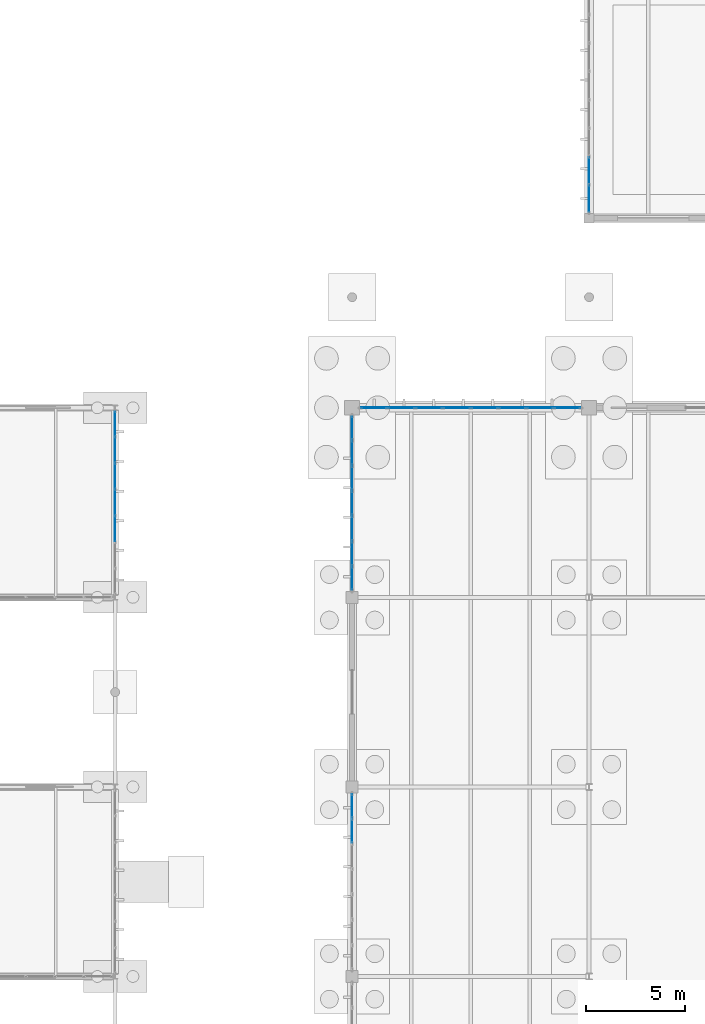
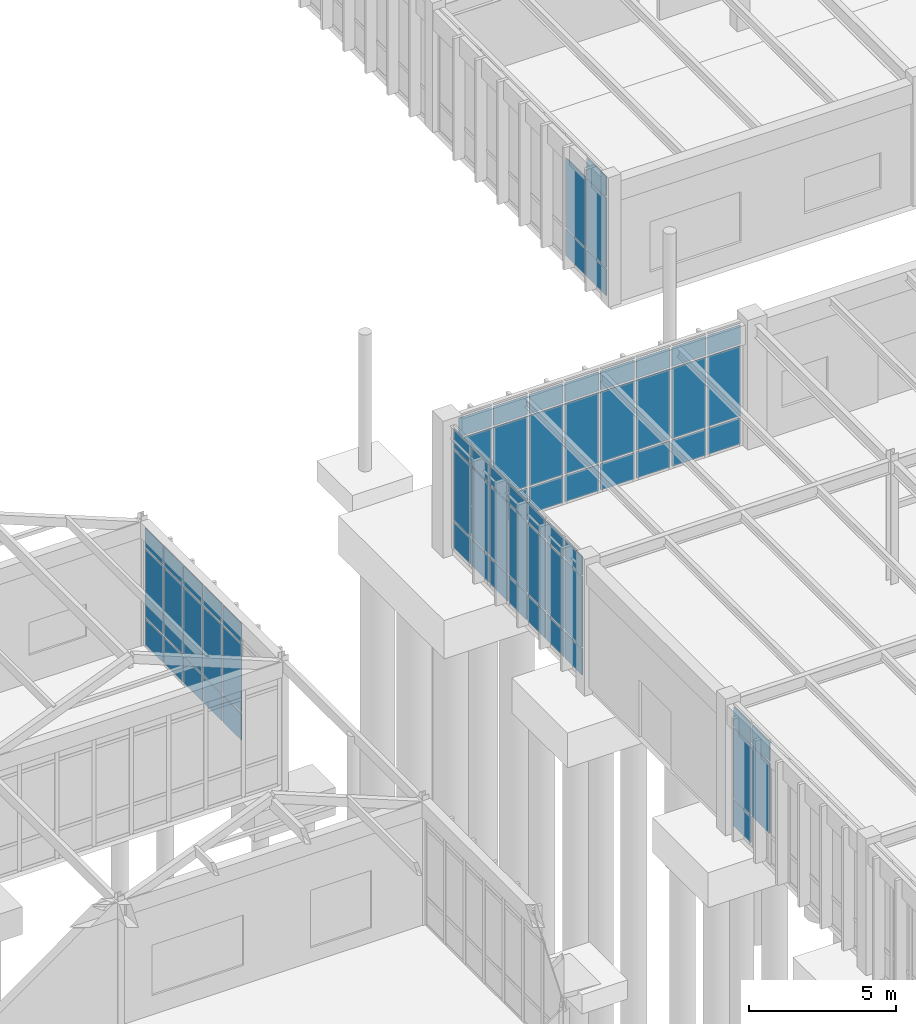
# One storey, part 136 of 188: 70 plates, 5 elements without a shape of their own.
"""IFC4 building model written with IfcOpenShell, lengths in metres."""

from ifc_helpers import new_model, si_unit, direction, frame, origin, origin_2d, place, context, subcontext, project, spatial, rectangle, extrude, material, layer, layer_set, type_object, element, aggregate, save


model = new_model("IFC4")

# Units and contexts
model_context = context("Model", 3, precision=1e-05, world=origin(), true_north=direction((0.0, 1.0)))
body_context = subcontext(model_context, "Body", "Model", "MODEL_VIEW")
ifc_project = project(units=[si_unit("LENGTHUNIT", "METRE"), si_unit("AREAUNIT", "SQUARE_METRE"), si_unit("VOLUMEUNIT", "CUBIC_METRE"), si_unit("PLANEANGLEUNIT", "RADIAN"), si_unit("MASSUNIT", "GRAM", prefix="KILO")], contexts=[model_context])

# Site, building, storey
site_placement = place(None, origin())
site = spatial("IfcSite", under=ifc_project, at=site_placement, CompositionType="ELEMENT")
building_placement = place(site_placement, origin())
building = spatial("IfcBuilding", under=site, at=building_placement, Name="Pandanus Reach Market Hall", CompositionType="ELEMENT")
storey_placement = place(building_placement, origin())
storey = spatial("IfcBuildingStorey", under=building, at=storey_placement, Name="L00", CompositionType="ELEMENT", Elevation=0.0)

# Curtain wall, plates
ifc_material_1 = material(Name="Bronze anodised aluminium and low-E glass", Category="aluminium")
ifc_layer_1 = layer(ifc_material_1, 0.159912109375, Name="CW-08")
ifc_layer_set_1 = layer_set([ifc_layer_1], Name="Bronze anodised aluminium and low-E glass")
curtain_wall_type_1 = type_object("IfcCurtainWallType", Name="CW-08", PredefinedType="NOTDEFINED", material=ifc_layer_set_1)
curtain_wall_1_placement = place(storey_placement, origin())
curtain_wall_1 = element("IfcCurtainWall", 1, at=curtain_wall_1_placement, inside=storey, type_object=curtain_wall_type_1, Name="Glazed curtain wall CW-08 CW-0046", PredefinedType="NOTDEFINED")
ifc_material_2 = material(Name="Solar-control double glazing", Category="glass")
ifc_layer_2 = layer(ifc_material_2, 0.028076171875, Name="CW-P1")
ifc_layer_set_2 = layer_set([ifc_layer_2], Name="Solar-control double glazing")
plate_type_1 = type_object("IfcPlateType", Name="CW-P1", PredefinedType="CURTAIN_PANEL", material=ifc_layer_set_2)
plate_1_placement = place(storey_placement, frame((36.0, 80.264892578125, 0.06494140625), z_axis=(0.0, 0.0, 1.0), x_axis=(0.0, 1.0, 0.0)))
plate_1 = element("IfcPlate", 2, at=plate_1_placement, type_object=plate_type_1, Name="CW-08 panel 3.1", PredefinedType="CURTAIN_PANEL", context=body_context, shape_type="SweptSolid", body=[
    extrude(rectangle(XDim=1.270263671875, YDim=0.028076171875, at=origin_2d()), origin(), (0.0, 0.0, 1.0), 1.1025390625),
])
plate_2_placement = place(storey_placement, frame((36.0, 80.264892578125, 1.232421875), z_axis=(0.0, 0.0, 1.0), x_axis=(0.0, 1.0, 0.0)))
plate_2 = element("IfcPlate", 3, at=plate_2_placement, type_object=plate_type_1, Name="CW-08 panel 3.2", PredefinedType="CURTAIN_PANEL", context=body_context, shape_type="SweptSolid", body=[
    extrude(rectangle(XDim=1.270263671875, YDim=0.028076171875, at=origin_2d()), origin(), (0.0, 0.0, 1.0), 2.8349609375),
])
plate_3_placement = place(storey_placement, frame((36.0, 80.264892578125, 4.13232421875), z_axis=(0.0, 0.0, 1.0), x_axis=(0.0, 1.0, 0.0)))
plate_3 = element("IfcPlate", 4, at=plate_3_placement, type_object=plate_type_1, Name="CW-08 panel 3.3", PredefinedType="CURTAIN_PANEL", context=body_context, shape_type="SweptSolid", body=[
    extrude(rectangle(XDim=1.270263671875, YDim=0.028076171875, at=origin_2d()), origin(), (0.0, 0.0, 1.0), 0.802490234375),
])
plate_4_placement = place(storey_placement, frame((36.0, 81.60009765625, 0.06494140625), z_axis=(0.0, 0.0, 1.0), x_axis=(0.0, 1.0, 0.0)))
plate_4 = element("IfcPlate", 5, at=plate_4_placement, type_object=plate_type_1, Name="CW-08 panel 4.1", PredefinedType="CURTAIN_PANEL", context=body_context, shape_type="SweptSolid", body=[
    extrude(rectangle(XDim=1.270263671875, YDim=0.028076171875, at=origin_2d()), origin(), (0.0, 0.0, 1.0), 1.1025390625),
])
plate_5_placement = place(storey_placement, frame((36.0, 81.60009765625, 1.232421875), z_axis=(0.0, 0.0, 1.0), x_axis=(0.0, 1.0, 0.0)))
plate_5 = element("IfcPlate", 6, at=plate_5_placement, type_object=plate_type_1, Name="CW-08 panel 4.2", PredefinedType="CURTAIN_PANEL", context=body_context, shape_type="SweptSolid", body=[
    extrude(rectangle(XDim=1.270263671875, YDim=0.028076171875, at=origin_2d()), origin(), (0.0, 0.0, 1.0), 2.8349609375),
])
plate_6_placement = place(storey_placement, frame((36.0, 81.60009765625, 4.13232421875), z_axis=(0.0, 0.0, 1.0), x_axis=(0.0, 1.0, 0.0)))
plate_6 = element("IfcPlate", 7, at=plate_6_placement, type_object=plate_type_1, Name="CW-08 panel 4.3", PredefinedType="CURTAIN_PANEL", context=body_context, shape_type="SweptSolid", body=[
    extrude(rectangle(XDim=1.270263671875, YDim=0.028076171875, at=origin_2d()), origin(), (0.0, 0.0, 1.0), 0.802490234375),
])
plate_7_placement = place(storey_placement, frame((36.0, 82.93505859375, 0.06494140625), z_axis=(0.0, 0.0, 1.0), x_axis=(0.0, 1.0, 0.0)))
plate_7 = element("IfcPlate", 8, at=plate_7_placement, type_object=plate_type_1, Name="CW-08 panel 5.1", PredefinedType="CURTAIN_PANEL", context=body_context, shape_type="SweptSolid", body=[
    extrude(rectangle(XDim=1.270263671875, YDim=0.028076171875, at=origin_2d()), origin(), (0.0, 0.0, 1.0), 1.1025390625),
])
plate_8_placement = place(storey_placement, frame((36.0, 82.93505859375, 1.232421875), z_axis=(0.0, 0.0, 1.0), x_axis=(0.0, 1.0, 0.0)))
plate_8 = element("IfcPlate", 9, at=plate_8_placement, type_object=plate_type_1, Name="CW-08 panel 5.2", PredefinedType="CURTAIN_PANEL", context=body_context, shape_type="SweptSolid", body=[
    extrude(rectangle(XDim=1.270263671875, YDim=0.028076171875, at=origin_2d()), origin(), (0.0, 0.0, 1.0), 2.8349609375),
])
plate_9_placement = place(storey_placement, frame((36.0, 82.93505859375, 4.13232421875), z_axis=(0.0, 0.0, 1.0), x_axis=(0.0, 1.0, 0.0)))
plate_9 = element("IfcPlate", 10, at=plate_9_placement, type_object=plate_type_1, Name="CW-08 panel 5.3", PredefinedType="CURTAIN_PANEL", context=body_context, shape_type="SweptSolid", body=[
    extrude(rectangle(XDim=1.270263671875, YDim=0.028076171875, at=origin_2d()), origin(), (0.0, 0.0, 1.0), 0.802490234375),
])
plate_10_placement = place(storey_placement, frame((36.0, 84.270263671875, 0.06494140625), z_axis=(0.0, 0.0, 1.0), x_axis=(0.0, 1.0, 0.0)))
plate_10 = element("IfcPlate", 11, at=plate_10_placement, type_object=plate_type_1, Name="CW-08 panel 6.1", PredefinedType="CURTAIN_PANEL", context=body_context, shape_type="SweptSolid", body=[
    extrude(rectangle(XDim=1.270263671875, YDim=0.028076171875, at=origin_2d()), origin(), (0.0, 0.0, 1.0), 1.1025390625),
])
plate_11_placement = place(storey_placement, frame((36.0, 84.270263671875, 1.232421875), z_axis=(0.0, 0.0, 1.0), x_axis=(0.0, 1.0, 0.0)))
plate_11 = element("IfcPlate", 12, at=plate_11_placement, type_object=plate_type_1, Name="CW-08 panel 6.2", PredefinedType="CURTAIN_PANEL", context=body_context, shape_type="SweptSolid", body=[
    extrude(rectangle(XDim=1.270263671875, YDim=0.028076171875, at=origin_2d()), origin(), (0.0, 0.0, 1.0), 2.8349609375),
])
plate_12_placement = place(storey_placement, frame((36.0, 84.270263671875, 4.13232421875), z_axis=(0.0, 0.0, 1.0), x_axis=(0.0, 1.0, 0.0)))
plate_12 = element("IfcPlate", 13, at=plate_12_placement, type_object=plate_type_1, Name="CW-08 panel 6.3", PredefinedType="CURTAIN_PANEL", context=body_context, shape_type="SweptSolid", body=[
    extrude(rectangle(XDim=1.270263671875, YDim=0.028076171875, at=origin_2d()), origin(), (0.0, 0.0, 1.0), 0.802490234375),
])
plate_13_placement = place(storey_placement, frame((36.0, 85.589111328125, 0.06494140625), z_axis=(0.0, 0.0, 1.0), x_axis=(0.0, 1.0, 0.0)))
plate_13 = element("IfcPlate", 14, at=plate_13_placement, type_object=plate_type_1, Name="CW-08 panel 7.1", PredefinedType="CURTAIN_PANEL", context=body_context, shape_type="SweptSolid", body=[
    extrude(rectangle(XDim=1.237548828125, YDim=0.028076171875, at=origin_2d()), origin(), (0.0, 0.0, 1.0), 1.1025390625),
])
plate_14_placement = place(storey_placement, frame((36.0, 85.589111328125, 1.232421875), z_axis=(0.0, 0.0, 1.0), x_axis=(0.0, 1.0, 0.0)))
plate_14 = element("IfcPlate", 15, at=plate_14_placement, type_object=plate_type_1, Name="CW-08 panel 7.2", PredefinedType="CURTAIN_PANEL", context=body_context, shape_type="SweptSolid", body=[
    extrude(rectangle(XDim=1.237548828125, YDim=0.028076171875, at=origin_2d()), origin(), (0.0, 0.0, 1.0), 2.8349609375),
])
plate_15_placement = place(storey_placement, frame((36.0, 85.589111328125, 4.13232421875), z_axis=(0.0, 0.0, 1.0), x_axis=(0.0, 1.0, 0.0)))
plate_15 = element("IfcPlate", 16, at=plate_15_placement, type_object=plate_type_1, Name="CW-08 panel 7.3", PredefinedType="CURTAIN_PANEL", context=body_context, shape_type="SweptSolid", body=[
    extrude(rectangle(XDim=1.237548828125, YDim=0.028076171875, at=origin_2d()), origin(), (0.0, 0.0, 1.0), 0.802490234375),
])
aggregate(curtain_wall_1, [plate_1, plate_2, plate_3, plate_4, plate_5, plate_6, plate_7, plate_8, plate_9, plate_10, plate_11, plate_12, plate_13, plate_14, plate_15])

ifc_layer_3 = layer(ifc_material_1, 0.159912109375, Name="CW-41")
ifc_layer_set_3 = layer_set([ifc_layer_3], Name="Bronze anodised aluminium and low-E glass")
curtain_wall_type_2 = type_object("IfcCurtainWallType", Name="CW-41", PredefinedType="NOTDEFINED", material=ifc_layer_set_3)
curtain_wall_2_placement = place(storey_placement, origin())
curtain_wall_2 = element("IfcCurtainWall", 17, at=curtain_wall_2_placement, inside=storey, type_object=curtain_wall_type_2, Name="Glazed curtain wall CW-41 CW-0147", PredefinedType="NOTDEFINED")
plate_16_placement = place(storey_placement, frame((60.0, 96.985107421875, 0.06494140625), z_axis=(0.0, 0.0, 1.0), x_axis=(0.0, 1.0, 0.0)))
plate_16 = element("IfcPlate", 18, at=plate_16_placement, type_object=plate_type_1, Name="CW-41 panel 1.1", PredefinedType="CURTAIN_PANEL", context=body_context, shape_type="SweptSolid", body=[
    extrude(rectangle(XDim=1.340087890625, YDim=0.028076171875, at=origin_2d()), origin(), (0.0, 0.0, 1.0), 1.1025390625),
])
plate_17_placement = place(storey_placement, frame((60.0, 96.985107421875, 1.232421875), z_axis=(0.0, 0.0, 1.0), x_axis=(0.0, 1.0, 0.0)))
plate_17 = element("IfcPlate", 19, at=plate_17_placement, type_object=plate_type_1, Name="CW-41 panel 1.2", PredefinedType="CURTAIN_PANEL", context=body_context, shape_type="SweptSolid", body=[
    extrude(rectangle(XDim=1.340087890625, YDim=0.028076171875, at=origin_2d()), origin(), (0.0, 0.0, 1.0), 2.9150390625),
])
plate_18_placement = place(storey_placement, frame((60.0, 96.985107421875, 4.21240234375), z_axis=(0.0, 0.0, 1.0), x_axis=(0.0, 1.0, 0.0)))
plate_18 = element("IfcPlate", 20, at=plate_18_placement, type_object=plate_type_1, Name="CW-41 panel 1.3", PredefinedType="CURTAIN_PANEL", context=body_context, shape_type="SweptSolid", body=[
    extrude(rectangle(XDim=1.340087890625, YDim=0.028076171875, at=origin_2d()), origin(), (0.0, 0.0, 1.0), 0.802490234375),
])
plate_19_placement = place(storey_placement, frame((60.0, 98.40625, 0.06494140625), z_axis=(0.0, 0.0, 1.0), x_axis=(0.0, 1.0, 0.0)))
plate_19 = element("IfcPlate", 21, at=plate_19_placement, type_object=plate_type_1, Name="CW-41 panel 2.1", PredefinedType="CURTAIN_PANEL", context=body_context, shape_type="SweptSolid", body=[
    extrude(rectangle(XDim=1.37255859375, YDim=0.028076171875, at=origin_2d()), origin(), (0.0, 0.0, 1.0), 1.1025390625),
])
plate_20_placement = place(storey_placement, frame((60.0, 98.40625, 1.232421875), z_axis=(0.0, 0.0, 1.0), x_axis=(0.0, 1.0, 0.0)))
plate_20 = element("IfcPlate", 22, at=plate_20_placement, type_object=plate_type_1, Name="CW-41 panel 2.2", PredefinedType="CURTAIN_PANEL", context=body_context, shape_type="SweptSolid", body=[
    extrude(rectangle(XDim=1.37255859375, YDim=0.028076171875, at=origin_2d()), origin(), (0.0, 0.0, 1.0), 2.9150390625),
])
aggregate(curtain_wall_2, [plate_16, plate_17, plate_18, plate_19, plate_20])

ifc_layer_4 = layer(ifc_material_1, 0.199951171875, Name="CW-01")
ifc_layer_set_4 = layer_set([ifc_layer_4], Name="Bronze anodised aluminium and low-E glass")
curtain_wall_type_3 = type_object("IfcCurtainWallType", Name="CW-01", PredefinedType="NOTDEFINED", material=ifc_layer_set_4)
curtain_wall_3_placement = place(storey_placement, origin())
curtain_wall_3 = element("IfcCurtainWall", 23, at=curtain_wall_3_placement, inside=storey, type_object=curtain_wall_type_3, Name="Glazed curtain wall CW-01 CW-0009", PredefinedType="NOTDEFINED")
ifc_material_3 = material(Name="Acoustic laminated solar double glazing", Category="glass")
ifc_layer_5 = layer(ifc_material_3, 0.031982421875, Name="CW-P2")
ifc_layer_set_5 = layer_set([ifc_layer_5], Name="Acoustic laminated solar double glazing")
plate_type_2 = type_object("IfcPlateType", Name="CW-P2", PredefinedType="CURTAIN_PANEL", material=ifc_layer_set_5)
plate_21_placement = place(storey_placement, frame((49.096923828125, 86.39990234375, 0.074951171875), z_axis=(0.0, 0.0, 1.0), x_axis=(1.0, 0.0, 0.0)))
plate_21 = element("IfcPlate", 24, at=plate_21_placement, type_object=plate_type_2, Name="CW-01 panel 1.1", PredefinedType="CURTAIN_PANEL", context=body_context, shape_type="SweptSolid", body=[
    extrude(rectangle(XDim=1.293701171875, YDim=0.031982421875, at=origin_2d()), origin(), (0.0, 0.0, 1.0), 1.08740234375),
])
plate_22_placement = place(storey_placement, frame((49.096923828125, 86.39990234375, 1.2373046875), z_axis=(0.0, 0.0, 1.0), x_axis=(1.0, 0.0, 0.0)))
plate_22 = element("IfcPlate", 25, at=plate_22_placement, type_object=plate_type_2, Name="CW-01 panel 1.2", PredefinedType="CURTAIN_PANEL", context=body_context, shape_type="SweptSolid", body=[
    extrude(rectangle(XDim=1.293701171875, YDim=0.031982421875, at=origin_2d()), origin(), (0.0, 0.0, 1.0), 2.925048828125),
])
plate_23_placement = place(storey_placement, frame((49.096923828125, 86.39990234375, 4.237548828125), z_axis=(0.0, 0.0, 1.0), x_axis=(1.0, 0.0, 0.0)))
plate_23 = element("IfcPlate", 26, at=plate_23_placement, type_object=plate_type_2, Name="CW-01 panel 1.3", PredefinedType="CURTAIN_PANEL", context=body_context, shape_type="SweptSolid", body=[
    extrude(rectangle(XDim=1.293701171875, YDim=0.031982421875, at=origin_2d()), origin(), (0.0, 0.0, 1.0), 0.78759765625),
])
plate_24_placement = place(storey_placement, frame((50.484375, 86.39990234375, 0.074951171875), z_axis=(0.0, 0.0, 1.0), x_axis=(1.0, 0.0, 0.0)))
plate_24 = element("IfcPlate", 27, at=plate_24_placement, type_object=plate_type_2, Name="CW-01 panel 2.1", PredefinedType="CURTAIN_PANEL", context=body_context, shape_type="SweptSolid", body=[
    extrude(rectangle(XDim=1.331298828125, YDim=0.031982421875, at=origin_2d()), origin(), (0.0, 0.0, 1.0), 1.08740234375),
])
plate_25_placement = place(storey_placement, frame((50.484375, 86.39990234375, 1.2373046875), z_axis=(0.0, 0.0, 1.0), x_axis=(1.0, 0.0, 0.0)))
plate_25 = element("IfcPlate", 28, at=plate_25_placement, type_object=plate_type_2, Name="CW-01 panel 2.2", PredefinedType="CURTAIN_PANEL", context=body_context, shape_type="SweptSolid", body=[
    extrude(rectangle(XDim=1.331298828125, YDim=0.031982421875, at=origin_2d()), origin(), (0.0, 0.0, 1.0), 2.925048828125),
])
plate_26_placement = place(storey_placement, frame((50.484375, 86.39990234375, 4.237548828125), z_axis=(0.0, 0.0, 1.0), x_axis=(1.0, 0.0, 0.0)))
plate_26 = element("IfcPlate", 29, at=plate_26_placement, type_object=plate_type_2, Name="CW-01 panel 2.3", PredefinedType="CURTAIN_PANEL", context=body_context, shape_type="SweptSolid", body=[
    extrude(rectangle(XDim=1.331298828125, YDim=0.031982421875, at=origin_2d()), origin(), (0.0, 0.0, 1.0), 0.78759765625),
])
plate_27_placement = place(storey_placement, frame((51.890625, 86.39990234375, 0.074951171875), z_axis=(0.0, 0.0, 1.0), x_axis=(1.0, 0.0, 0.0)))
plate_27 = element("IfcPlate", 30, at=plate_27_placement, type_object=plate_type_2, Name="CW-01 panel 3.1", PredefinedType="CURTAIN_PANEL", context=body_context, shape_type="SweptSolid", body=[
    extrude(rectangle(XDim=1.331298828125, YDim=0.031982421875, at=origin_2d()), origin(), (0.0, 0.0, 1.0), 1.08740234375),
])
plate_28_placement = place(storey_placement, frame((51.890625, 86.39990234375, 1.2373046875), z_axis=(0.0, 0.0, 1.0), x_axis=(1.0, 0.0, 0.0)))
plate_28 = element("IfcPlate", 31, at=plate_28_placement, type_object=plate_type_2, Name="CW-01 panel 3.2", PredefinedType="CURTAIN_PANEL", context=body_context, shape_type="SweptSolid", body=[
    extrude(rectangle(XDim=1.331298828125, YDim=0.031982421875, at=origin_2d()), origin(), (0.0, 0.0, 1.0), 2.925048828125),
])
plate_29_placement = place(storey_placement, frame((51.890625, 86.39990234375, 4.237548828125), z_axis=(0.0, 0.0, 1.0), x_axis=(1.0, 0.0, 0.0)))
plate_29 = element("IfcPlate", 32, at=plate_29_placement, type_object=plate_type_2, Name="CW-01 panel 3.3", PredefinedType="CURTAIN_PANEL", context=body_context, shape_type="SweptSolid", body=[
    extrude(rectangle(XDim=1.331298828125, YDim=0.031982421875, at=origin_2d()), origin(), (0.0, 0.0, 1.0), 0.78759765625),
])
plate_30_placement = place(storey_placement, frame((53.296875, 86.39990234375, 0.074951171875), z_axis=(0.0, 0.0, 1.0), x_axis=(1.0, 0.0, 0.0)))
plate_30 = element("IfcPlate", 33, at=plate_30_placement, type_object=plate_type_2, Name="CW-01 panel 4.1", PredefinedType="CURTAIN_PANEL", context=body_context, shape_type="SweptSolid", body=[
    extrude(rectangle(XDim=1.331298828125, YDim=0.031982421875, at=origin_2d()), origin(), (0.0, 0.0, 1.0), 1.08740234375),
])
plate_31_placement = place(storey_placement, frame((53.296875, 86.39990234375, 1.2373046875), z_axis=(0.0, 0.0, 1.0), x_axis=(1.0, 0.0, 0.0)))
plate_31 = element("IfcPlate", 34, at=plate_31_placement, type_object=plate_type_2, Name="CW-01 panel 4.2", PredefinedType="CURTAIN_PANEL", context=body_context, shape_type="SweptSolid", body=[
    extrude(rectangle(XDim=1.331298828125, YDim=0.031982421875, at=origin_2d()), origin(), (0.0, 0.0, 1.0), 2.925048828125),
])
plate_32_placement = place(storey_placement, frame((53.296875, 86.39990234375, 4.237548828125), z_axis=(0.0, 0.0, 1.0), x_axis=(1.0, 0.0, 0.0)))
plate_32 = element("IfcPlate", 35, at=plate_32_placement, type_object=plate_type_2, Name="CW-01 panel 4.3", PredefinedType="CURTAIN_PANEL", context=body_context, shape_type="SweptSolid", body=[
    extrude(rectangle(XDim=1.331298828125, YDim=0.031982421875, at=origin_2d()), origin(), (0.0, 0.0, 1.0), 0.78759765625),
])
plate_33_placement = place(storey_placement, frame((54.703125, 86.39990234375, 0.074951171875), z_axis=(0.0, 0.0, 1.0), x_axis=(1.0, 0.0, 0.0)))
plate_33 = element("IfcPlate", 36, at=plate_33_placement, type_object=plate_type_2, Name="CW-01 panel 5.1", PredefinedType="CURTAIN_PANEL", context=body_context, shape_type="SweptSolid", body=[
    extrude(rectangle(XDim=1.331298828125, YDim=0.031982421875, at=origin_2d()), origin(), (0.0, 0.0, 1.0), 1.08740234375),
])
plate_34_placement = place(storey_placement, frame((54.703125, 86.39990234375, 1.2373046875), z_axis=(0.0, 0.0, 1.0), x_axis=(1.0, 0.0, 0.0)))
plate_34 = element("IfcPlate", 37, at=plate_34_placement, type_object=plate_type_2, Name="CW-01 panel 5.2", PredefinedType="CURTAIN_PANEL", context=body_context, shape_type="SweptSolid", body=[
    extrude(rectangle(XDim=1.331298828125, YDim=0.031982421875, at=origin_2d()), origin(), (0.0, 0.0, 1.0), 2.925048828125),
])
plate_35_placement = place(storey_placement, frame((54.703125, 86.39990234375, 4.237548828125), z_axis=(0.0, 0.0, 1.0), x_axis=(1.0, 0.0, 0.0)))
plate_35 = element("IfcPlate", 38, at=plate_35_placement, type_object=plate_type_2, Name="CW-01 panel 5.3", PredefinedType="CURTAIN_PANEL", context=body_context, shape_type="SweptSolid", body=[
    extrude(rectangle(XDim=1.331298828125, YDim=0.031982421875, at=origin_2d()), origin(), (0.0, 0.0, 1.0), 0.78759765625),
])
plate_36_placement = place(storey_placement, frame((56.109375, 86.39990234375, 0.074951171875), z_axis=(0.0, 0.0, 1.0), x_axis=(1.0, 0.0, 0.0)))
plate_36 = element("IfcPlate", 39, at=plate_36_placement, type_object=plate_type_2, Name="CW-01 panel 6.1", PredefinedType="CURTAIN_PANEL", context=body_context, shape_type="SweptSolid", body=[
    extrude(rectangle(XDim=1.331298828125, YDim=0.031982421875, at=origin_2d()), origin(), (0.0, 0.0, 1.0), 1.08740234375),
])
plate_37_placement = place(storey_placement, frame((56.109375, 86.39990234375, 1.2373046875), z_axis=(0.0, 0.0, 1.0), x_axis=(1.0, 0.0, 0.0)))
plate_37 = element("IfcPlate", 40, at=plate_37_placement, type_object=plate_type_2, Name="CW-01 panel 6.2", PredefinedType="CURTAIN_PANEL", context=body_context, shape_type="SweptSolid", body=[
    extrude(rectangle(XDim=1.331298828125, YDim=0.031982421875, at=origin_2d()), origin(), (0.0, 0.0, 1.0), 2.925048828125),
])
plate_38_placement = place(storey_placement, frame((56.109375, 86.39990234375, 4.237548828125), z_axis=(0.0, 0.0, 1.0), x_axis=(1.0, 0.0, 0.0)))
plate_38 = element("IfcPlate", 41, at=plate_38_placement, type_object=plate_type_2, Name="CW-01 panel 6.3", PredefinedType="CURTAIN_PANEL", context=body_context, shape_type="SweptSolid", body=[
    extrude(rectangle(XDim=1.331298828125, YDim=0.031982421875, at=origin_2d()), origin(), (0.0, 0.0, 1.0), 0.78759765625),
])
plate_39_placement = place(storey_placement, frame((57.515625, 86.39990234375, 0.074951171875), z_axis=(0.0, 0.0, 1.0), x_axis=(1.0, 0.0, 0.0)))
plate_39 = element("IfcPlate", 42, at=plate_39_placement, type_object=plate_type_2, Name="CW-01 panel 7.1", PredefinedType="CURTAIN_PANEL", context=body_context, shape_type="SweptSolid", body=[
    extrude(rectangle(XDim=1.331298828125, YDim=0.031982421875, at=origin_2d()), origin(), (0.0, 0.0, 1.0), 1.08740234375),
])
plate_40_placement = place(storey_placement, frame((57.515625, 86.39990234375, 1.2373046875), z_axis=(0.0, 0.0, 1.0), x_axis=(1.0, 0.0, 0.0)))
plate_40 = element("IfcPlate", 43, at=plate_40_placement, type_object=plate_type_2, Name="CW-01 panel 7.2", PredefinedType="CURTAIN_PANEL", context=body_context, shape_type="SweptSolid", body=[
    extrude(rectangle(XDim=1.331298828125, YDim=0.031982421875, at=origin_2d()), origin(), (0.0, 0.0, 1.0), 2.925048828125),
])
plate_41_placement = place(storey_placement, frame((57.515625, 86.39990234375, 4.237548828125), z_axis=(0.0, 0.0, 1.0), x_axis=(1.0, 0.0, 0.0)))
plate_41 = element("IfcPlate", 44, at=plate_41_placement, type_object=plate_type_2, Name="CW-01 panel 7.3", PredefinedType="CURTAIN_PANEL", context=body_context, shape_type="SweptSolid", body=[
    extrude(rectangle(XDim=1.331298828125, YDim=0.031982421875, at=origin_2d()), origin(), (0.0, 0.0, 1.0), 0.78759765625),
])
plate_42_placement = place(storey_placement, frame((58.903076171875, 86.39990234375, 0.074951171875), z_axis=(0.0, 0.0, 1.0), x_axis=(1.0, 0.0, 0.0)))
plate_42 = element("IfcPlate", 45, at=plate_42_placement, type_object=plate_type_2, Name="CW-01 panel 8.1", PredefinedType="CURTAIN_PANEL", context=body_context, shape_type="SweptSolid", body=[
    extrude(rectangle(XDim=1.293701171875, YDim=0.031982421875, at=origin_2d()), origin(), (0.0, 0.0, 1.0), 1.08740234375),
])
plate_43_placement = place(storey_placement, frame((58.903076171875, 86.39990234375, 1.2373046875), z_axis=(0.0, 0.0, 1.0), x_axis=(1.0, 0.0, 0.0)))
plate_43 = element("IfcPlate", 46, at=plate_43_placement, type_object=plate_type_2, Name="CW-01 panel 8.2", PredefinedType="CURTAIN_PANEL", context=body_context, shape_type="SweptSolid", body=[
    extrude(rectangle(XDim=1.293701171875, YDim=0.031982421875, at=origin_2d()), origin(), (0.0, 0.0, 1.0), 2.925048828125),
])
plate_44_placement = place(storey_placement, frame((58.903076171875, 86.39990234375, 4.237548828125), z_axis=(0.0, 0.0, 1.0), x_axis=(1.0, 0.0, 0.0)))
plate_44 = element("IfcPlate", 47, at=plate_44_placement, type_object=plate_type_2, Name="CW-01 panel 8.3", PredefinedType="CURTAIN_PANEL", context=body_context, shape_type="SweptSolid", body=[
    extrude(rectangle(XDim=1.293701171875, YDim=0.031982421875, at=origin_2d()), origin(), (0.0, 0.0, 1.0), 0.78759765625),
])
aggregate(curtain_wall_3, [plate_21, plate_22, plate_23, plate_24, plate_25, plate_26, plate_27, plate_28, plate_29, plate_30, plate_31, plate_32, plate_33, plate_34, plate_35, plate_36, plate_37, plate_38, plate_39, plate_40, plate_41, plate_42, plate_43, plate_44])

ifc_layer_6 = layer(ifc_material_1, 0.199951171875, Name="CW-06")
ifc_layer_set_6 = layer_set([ifc_layer_6], Name="Bronze anodised aluminium and low-E glass")
curtain_wall_type_4 = type_object("IfcCurtainWallType", Name="CW-06", PredefinedType="NOTDEFINED", material=ifc_layer_set_6)
curtain_wall_4_placement = place(storey_placement, origin())
curtain_wall_4 = element("IfcCurtainWall", 48, at=curtain_wall_4_placement, inside=storey, type_object=curtain_wall_type_4, Name="Glazed curtain wall CW-06 CW-0028", PredefinedType="NOTDEFINED")
plate_45_placement = place(storey_placement, frame((48.0, 64.971435546875, 1.2373046875), z_axis=(0.0, 0.0, 1.0), x_axis=(0.0, 1.0, 0.0)))
plate_45 = element("IfcPlate", 49, at=plate_45_placement, type_object=plate_type_2, Name="CW-06 panel 6.2", PredefinedType="CURTAIN_PANEL", context=body_context, shape_type="SweptSolid", body=[
    extrude(rectangle(XDim=1.210693359375, YDim=0.031982421875, at=origin_2d()), origin(), (0.0, 0.0, 1.0), 2.925048828125),
])
plate_46_placement = place(storey_placement, frame((48.0, 64.971435546875, 4.237548828125), z_axis=(0.0, 0.0, 1.0), x_axis=(0.0, 1.0, 0.0)))
plate_46 = element("IfcPlate", 50, at=plate_46_placement, type_object=plate_type_2, Name="CW-06 panel 6.3", PredefinedType="CURTAIN_PANEL", context=body_context, shape_type="SweptSolid", body=[
    extrude(rectangle(XDim=1.210693359375, YDim=0.031982421875, at=origin_2d()), origin(), (0.0, 0.0, 1.0), 0.78759765625),
])
plate_47_placement = place(storey_placement, frame((48.0, 66.23828125, 0.074951171875), z_axis=(0.0, 0.0, 1.0), x_axis=(0.0, 1.0, 0.0)))
plate_47 = element("IfcPlate", 51, at=plate_47_placement, type_object=plate_type_2, Name="CW-06 panel 7.1", PredefinedType="CURTAIN_PANEL", context=body_context, shape_type="SweptSolid", body=[
    extrude(rectangle(XDim=1.173095703125, YDim=0.031982421875, at=origin_2d()), origin(), (0.0, 0.0, 1.0), 1.08740234375),
])
plate_48_placement = place(storey_placement, frame((48.0, 66.23828125, 1.2373046875), z_axis=(0.0, 0.0, 1.0), x_axis=(0.0, 1.0, 0.0)))
plate_48 = element("IfcPlate", 52, at=plate_48_placement, type_object=plate_type_2, Name="CW-06 panel 7.2", PredefinedType="CURTAIN_PANEL", context=body_context, shape_type="SweptSolid", body=[
    extrude(rectangle(XDim=1.173095703125, YDim=0.031982421875, at=origin_2d()), origin(), (0.0, 0.0, 1.0), 2.925048828125),
])
plate_49_placement = place(storey_placement, frame((48.0, 66.23828125, 4.237548828125), z_axis=(0.0, 0.0, 1.0), x_axis=(0.0, 1.0, 0.0)))
plate_49 = element("IfcPlate", 53, at=plate_49_placement, type_object=plate_type_2, Name="CW-06 panel 7.3", PredefinedType="CURTAIN_PANEL", context=body_context, shape_type="SweptSolid", body=[
    extrude(rectangle(XDim=1.173095703125, YDim=0.031982421875, at=origin_2d()), origin(), (0.0, 0.0, 1.0), 0.78759765625),
])
aggregate(curtain_wall_4, [plate_45, plate_46, plate_47, plate_48, plate_49])

ifc_layer_7 = layer(ifc_material_1, 0.199951171875, Name="CW-03")
ifc_layer_set_7 = layer_set([ifc_layer_7], Name="Bronze anodised aluminium and low-E glass")
curtain_wall_type_5 = type_object("IfcCurtainWallType", Name="CW-03", PredefinedType="NOTDEFINED", material=ifc_layer_set_7)
curtain_wall_5_placement = place(storey_placement, origin())
curtain_wall_5 = element("IfcCurtainWall", 54, at=curtain_wall_5_placement, inside=storey, type_object=curtain_wall_type_5, Name="Glazed curtain wall CW-03 CW-0034", PredefinedType="NOTDEFINED")
plate_50_placement = place(storey_placement, frame((48.0, 77.75634765625, 0.074951171875), z_axis=(0.0, 0.0, 1.0), x_axis=(0.0, 1.0, 0.0)))
plate_50 = element("IfcPlate", 55, at=plate_50_placement, type_object=plate_type_2, Name="CW-03 panel 1.1", PredefinedType="CURTAIN_PANEL", context=body_context, shape_type="SweptSolid", body=[
    extrude(rectangle(XDim=1.16259765625, YDim=0.031982421875, at=origin_2d()), origin(), (0.0, 0.0, 1.0), 1.08740234375),
])
plate_51_placement = place(storey_placement, frame((48.0, 77.75634765625, 1.2373046875), z_axis=(0.0, 0.0, 1.0), x_axis=(0.0, 1.0, 0.0)))
plate_51 = element("IfcPlate", 56, at=plate_51_placement, type_object=plate_type_2, Name="CW-03 panel 1.2", PredefinedType="CURTAIN_PANEL", context=body_context, shape_type="SweptSolid", body=[
    extrude(rectangle(XDim=1.16259765625, YDim=0.031982421875, at=origin_2d()), origin(), (0.0, 0.0, 1.0), 2.925048828125),
])
plate_52_placement = place(storey_placement, frame((48.0, 77.75634765625, 4.237548828125), z_axis=(0.0, 0.0, 1.0), x_axis=(0.0, 1.0, 0.0)))
plate_52 = element("IfcPlate", 57, at=plate_52_placement, type_object=plate_type_2, Name="CW-03 panel 1.3", PredefinedType="CURTAIN_PANEL", context=body_context, shape_type="SweptSolid", body=[
    extrude(rectangle(XDim=1.16259765625, YDim=0.031982421875, at=origin_2d()), origin(), (0.0, 0.0, 1.0), 0.78759765625),
])
plate_53_placement = place(storey_placement, frame((48.0, 79.012451171875, 0.074951171875), z_axis=(0.0, 0.0, 1.0), x_axis=(0.0, 1.0, 0.0)))
plate_53 = element("IfcPlate", 58, at=plate_53_placement, type_object=plate_type_2, Name="CW-03 panel 2.1", PredefinedType="CURTAIN_PANEL", context=body_context, shape_type="SweptSolid", body=[
    extrude(rectangle(XDim=1.199951171875, YDim=0.031982421875, at=origin_2d()), origin(), (0.0, 0.0, 1.0), 1.08740234375),
])
plate_54_placement = place(storey_placement, frame((48.0, 79.012451171875, 1.2373046875), z_axis=(0.0, 0.0, 1.0), x_axis=(0.0, 1.0, 0.0)))
plate_54 = element("IfcPlate", 59, at=plate_54_placement, type_object=plate_type_2, Name="CW-03 panel 2.2", PredefinedType="CURTAIN_PANEL", context=body_context, shape_type="SweptSolid", body=[
    extrude(rectangle(XDim=1.199951171875, YDim=0.031982421875, at=origin_2d()), origin(), (0.0, 0.0, 1.0), 2.925048828125),
])
plate_55_placement = place(storey_placement, frame((48.0, 79.012451171875, 4.237548828125), z_axis=(0.0, 0.0, 1.0), x_axis=(0.0, 1.0, 0.0)))
plate_55 = element("IfcPlate", 60, at=plate_55_placement, type_object=plate_type_2, Name="CW-03 panel 2.3", PredefinedType="CURTAIN_PANEL", context=body_context, shape_type="SweptSolid", body=[
    extrude(rectangle(XDim=1.199951171875, YDim=0.031982421875, at=origin_2d()), origin(), (0.0, 0.0, 1.0), 0.78759765625),
])
plate_56_placement = place(storey_placement, frame((48.0, 80.28759765625, 0.074951171875), z_axis=(0.0, 0.0, 1.0), x_axis=(0.0, 1.0, 0.0)))
plate_56 = element("IfcPlate", 61, at=plate_56_placement, type_object=plate_type_2, Name="CW-03 panel 3.1", PredefinedType="CURTAIN_PANEL", context=body_context, shape_type="SweptSolid", body=[
    extrude(rectangle(XDim=1.199951171875, YDim=0.031982421875, at=origin_2d()), origin(), (0.0, 0.0, 1.0), 1.08740234375),
])
plate_57_placement = place(storey_placement, frame((48.0, 80.28759765625, 1.2373046875), z_axis=(0.0, 0.0, 1.0), x_axis=(0.0, 1.0, 0.0)))
plate_57 = element("IfcPlate", 62, at=plate_57_placement, type_object=plate_type_2, Name="CW-03 panel 3.2", PredefinedType="CURTAIN_PANEL", context=body_context, shape_type="SweptSolid", body=[
    extrude(rectangle(XDim=1.199951171875, YDim=0.031982421875, at=origin_2d()), origin(), (0.0, 0.0, 1.0), 2.925048828125),
])
plate_58_placement = place(storey_placement, frame((48.0, 80.28759765625, 4.237548828125), z_axis=(0.0, 0.0, 1.0), x_axis=(0.0, 1.0, 0.0)))
plate_58 = element("IfcPlate", 63, at=plate_58_placement, type_object=plate_type_2, Name="CW-03 panel 3.3", PredefinedType="CURTAIN_PANEL", context=body_context, shape_type="SweptSolid", body=[
    extrude(rectangle(XDim=1.199951171875, YDim=0.031982421875, at=origin_2d()), origin(), (0.0, 0.0, 1.0), 0.78759765625),
])
plate_59_placement = place(storey_placement, frame((48.0, 81.5625, 0.074951171875), z_axis=(0.0, 0.0, 1.0), x_axis=(0.0, 1.0, 0.0)))
plate_59 = element("IfcPlate", 64, at=plate_59_placement, type_object=plate_type_2, Name="CW-03 panel 4.1", PredefinedType="CURTAIN_PANEL", context=body_context, shape_type="SweptSolid", body=[
    extrude(rectangle(XDim=1.199951171875, YDim=0.031982421875, at=origin_2d()), origin(), (0.0, 0.0, 1.0), 1.08740234375),
])
plate_60_placement = place(storey_placement, frame((48.0, 81.5625, 1.2373046875), z_axis=(0.0, 0.0, 1.0), x_axis=(0.0, 1.0, 0.0)))
plate_60 = element("IfcPlate", 65, at=plate_60_placement, type_object=plate_type_2, Name="CW-03 panel 4.2", PredefinedType="CURTAIN_PANEL", context=body_context, shape_type="SweptSolid", body=[
    extrude(rectangle(XDim=1.199951171875, YDim=0.031982421875, at=origin_2d()), origin(), (0.0, 0.0, 1.0), 2.925048828125),
])
plate_61_placement = place(storey_placement, frame((48.0, 81.5625, 4.237548828125), z_axis=(0.0, 0.0, 1.0), x_axis=(0.0, 1.0, 0.0)))
plate_61 = element("IfcPlate", 66, at=plate_61_placement, type_object=plate_type_2, Name="CW-03 panel 4.3", PredefinedType="CURTAIN_PANEL", context=body_context, shape_type="SweptSolid", body=[
    extrude(rectangle(XDim=1.199951171875, YDim=0.031982421875, at=origin_2d()), origin(), (0.0, 0.0, 1.0), 0.78759765625),
])
plate_62_placement = place(storey_placement, frame((48.0, 82.83740234375, 0.074951171875), z_axis=(0.0, 0.0, 1.0), x_axis=(0.0, 1.0, 0.0)))
plate_62 = element("IfcPlate", 67, at=plate_62_placement, type_object=plate_type_2, Name="CW-03 panel 5.1", PredefinedType="CURTAIN_PANEL", context=body_context, shape_type="SweptSolid", body=[
    extrude(rectangle(XDim=1.199951171875, YDim=0.031982421875, at=origin_2d()), origin(), (0.0, 0.0, 1.0), 1.08740234375),
])
plate_63_placement = place(storey_placement, frame((48.0, 82.83740234375, 1.2373046875), z_axis=(0.0, 0.0, 1.0), x_axis=(0.0, 1.0, 0.0)))
plate_63 = element("IfcPlate", 68, at=plate_63_placement, type_object=plate_type_2, Name="CW-03 panel 5.2", PredefinedType="CURTAIN_PANEL", context=body_context, shape_type="SweptSolid", body=[
    extrude(rectangle(XDim=1.199951171875, YDim=0.031982421875, at=origin_2d()), origin(), (0.0, 0.0, 1.0), 2.925048828125),
])
plate_64_placement = place(storey_placement, frame((48.0, 82.83740234375, 4.237548828125), z_axis=(0.0, 0.0, 1.0), x_axis=(0.0, 1.0, 0.0)))
plate_64 = element("IfcPlate", 69, at=plate_64_placement, type_object=plate_type_2, Name="CW-03 panel 5.3", PredefinedType="CURTAIN_PANEL", context=body_context, shape_type="SweptSolid", body=[
    extrude(rectangle(XDim=1.199951171875, YDim=0.031982421875, at=origin_2d()), origin(), (0.0, 0.0, 1.0), 0.78759765625),
])
plate_65_placement = place(storey_placement, frame((48.0, 84.112548828125, 0.074951171875), z_axis=(0.0, 0.0, 1.0), x_axis=(0.0, 1.0, 0.0)))
plate_65 = element("IfcPlate", 70, at=plate_65_placement, type_object=plate_type_2, Name="CW-03 panel 6.1", PredefinedType="CURTAIN_PANEL", context=body_context, shape_type="SweptSolid", body=[
    extrude(rectangle(XDim=1.199951171875, YDim=0.031982421875, at=origin_2d()), origin(), (0.0, 0.0, 1.0), 1.08740234375),
])
plate_66_placement = place(storey_placement, frame((48.0, 84.112548828125, 1.2373046875), z_axis=(0.0, 0.0, 1.0), x_axis=(0.0, 1.0, 0.0)))
plate_66 = element("IfcPlate", 71, at=plate_66_placement, type_object=plate_type_2, Name="CW-03 panel 6.2", PredefinedType="CURTAIN_PANEL", context=body_context, shape_type="SweptSolid", body=[
    extrude(rectangle(XDim=1.199951171875, YDim=0.031982421875, at=origin_2d()), origin(), (0.0, 0.0, 1.0), 2.925048828125),
])
plate_67_placement = place(storey_placement, frame((48.0, 84.112548828125, 4.237548828125), z_axis=(0.0, 0.0, 1.0), x_axis=(0.0, 1.0, 0.0)))
plate_67 = element("IfcPlate", 72, at=plate_67_placement, type_object=plate_type_2, Name="CW-03 panel 6.3", PredefinedType="CURTAIN_PANEL", context=body_context, shape_type="SweptSolid", body=[
    extrude(rectangle(XDim=1.199951171875, YDim=0.031982421875, at=origin_2d()), origin(), (0.0, 0.0, 1.0), 0.78759765625),
])
plate_68_placement = place(storey_placement, frame((48.0, 85.36865234375, 0.074951171875), z_axis=(0.0, 0.0, 1.0), x_axis=(0.0, 1.0, 0.0)))
plate_68 = element("IfcPlate", 73, at=plate_68_placement, type_object=plate_type_2, Name="CW-03 panel 7.1", PredefinedType="CURTAIN_PANEL", context=body_context, shape_type="SweptSolid", body=[
    extrude(rectangle(XDim=1.16259765625, YDim=0.031982421875, at=origin_2d()), origin(), (0.0, 0.0, 1.0), 1.08740234375),
])
plate_69_placement = place(storey_placement, frame((48.0, 85.36865234375, 1.2373046875), z_axis=(0.0, 0.0, 1.0), x_axis=(0.0, 1.0, 0.0)))
plate_69 = element("IfcPlate", 74, at=plate_69_placement, type_object=plate_type_2, Name="CW-03 panel 7.2", PredefinedType="CURTAIN_PANEL", context=body_context, shape_type="SweptSolid", body=[
    extrude(rectangle(XDim=1.16259765625, YDim=0.031982421875, at=origin_2d()), origin(), (0.0, 0.0, 1.0), 2.925048828125),
])
plate_70_placement = place(storey_placement, frame((48.0, 85.36865234375, 4.237548828125), z_axis=(0.0, 0.0, 1.0), x_axis=(0.0, 1.0, 0.0)))
plate_70 = element("IfcPlate", 75, at=plate_70_placement, type_object=plate_type_2, Name="CW-03 panel 7.3", PredefinedType="CURTAIN_PANEL", context=body_context, shape_type="SweptSolid", body=[
    extrude(rectangle(XDim=1.16259765625, YDim=0.031982421875, at=origin_2d()), origin(), (0.0, 0.0, 1.0), 0.78759765625),
])
aggregate(curtain_wall_5, [plate_50, plate_51, plate_52, plate_53, plate_54, plate_55, plate_56, plate_57, plate_58, plate_59, plate_60, plate_61, plate_62, plate_63, plate_64, plate_65, plate_66, plate_67, plate_68, plate_69, plate_70])

save(model, "model.ifc")
